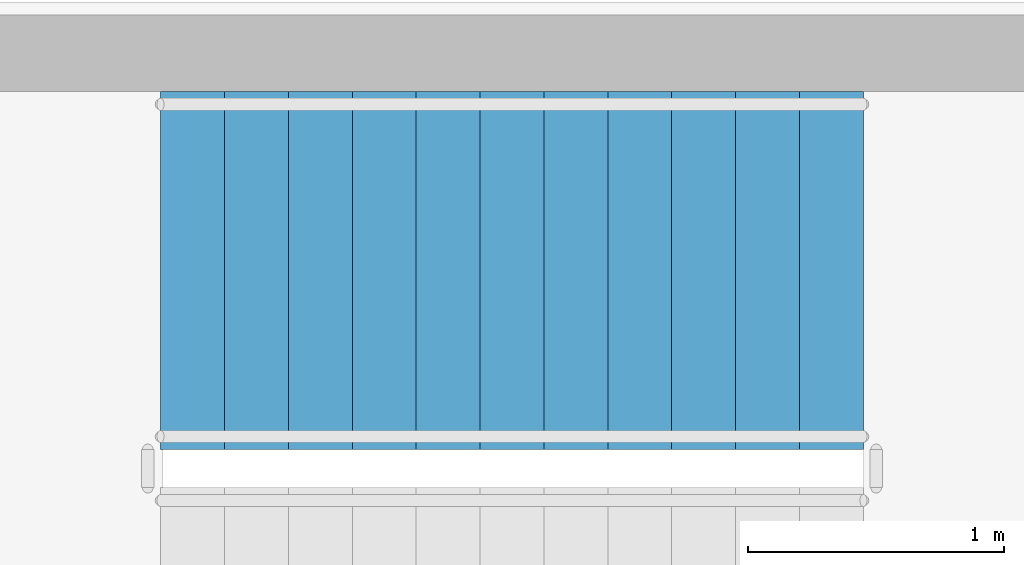
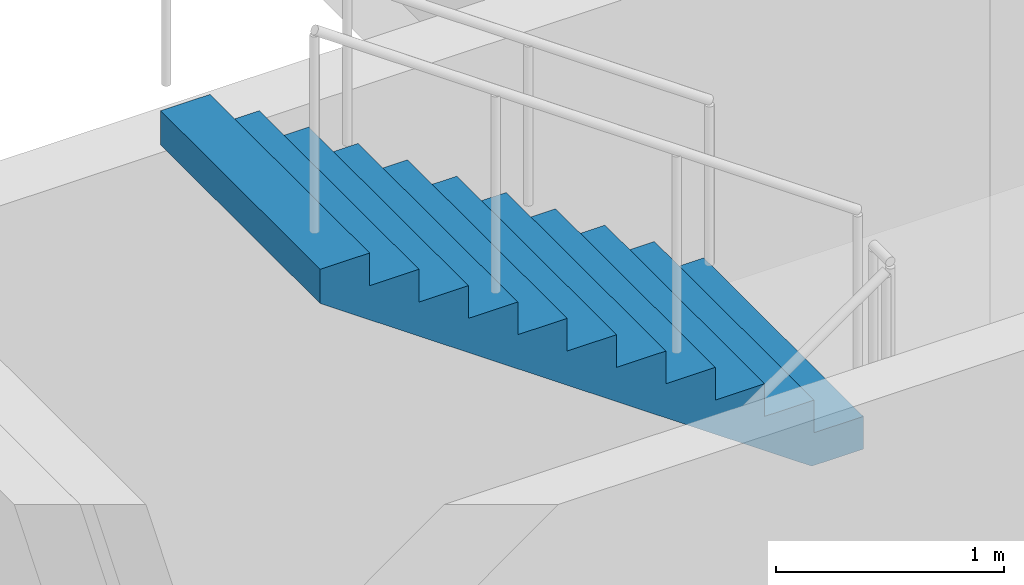
# One storey, part 9 of 14: 1 stair flight, 1 element without a shape of its own.
"""IFC4 building model written with IfcOpenShell, lengths in metres."""

import ifcopenshell
import ifcopenshell.guid

model = None  # the IFC model being written
_history = None  # IfcOwnerHistory: only IFC2X3 demands one
_inside = {}  # id of a spatial element -> (the spatial element, [elements in it])
_under = {}  # id of a project, library or spatial element -> (it, [spatial elements below it])
_declared = {}  # id of a project -> (the project, [libraries it declares])
_typed = {}  # id of a type object -> (the type object, [elements of that type])
_made_of = {}  # id of a material, layer set ... -> (it, [elements and type objects made of it])


def new_model(schema):
    """Start an empty IFC model of exactly this schema.

    Asked for "IFC4X3", IfcOpenShell would pick the latest addendum, in which some entities
    have other attributes; the version numbers below select the first issue.
    IFC2X3 requires an IfcOwnerHistory on every rooted entity: one is made here for all.
    """
    global model, _history
    if schema == "IFC4X3":
        model = ifcopenshell.file(schema_version=(4, 3, 0, 0))
    else:
        model = ifcopenshell.file(schema=schema)
    _inside.clear()
    _under.clear()
    _declared.clear()
    _typed.clear()
    _made_of.clear()
    _history = None
    if model.schema == "IFC2X3":
        org = make("IfcOrganization", Name="unknown")
        user = make(
            "IfcPersonAndOrganization",
            ThePerson=make("IfcPerson", FamilyName="unknown"),
            TheOrganization=org,
        )
        app = make(
            "IfcApplication",
            ApplicationDeveloper=org,
            Version="unknown",
            ApplicationFullName="unknown",
            ApplicationIdentifier="unknown",
        )
        _history = make(
            "IfcOwnerHistory",
            OwningUser=user,
            OwningApplication=app,
            ChangeAction="ADDED",
            CreationDate=0,
        )
    return model


def make(cls, **values):
    """One entity of the class cls with the attributes given. An attribute that is None is left unset."""
    return model.create_entity(
        cls, **{name: value for name, value in values.items() if value is not None}
    )


def rooted(cls, **values):
    """An entity with a GlobalId (a new one), such as an element, a storey or a relation."""
    return make(cls, GlobalId=ifcopenshell.guid.new(), OwnerHistory=_history, **values)


def si_unit(unit_type, name, prefix=None):
    """IfcSIUnit, for example si_unit("LENGTHUNIT", "METRE", prefix="MILLI")."""
    return make("IfcSIUnit", UnitType=unit_type, Prefix=prefix, Name=name)


def assignment(units):
    """IfcUnitAssignment: the units of a project."""
    return None if units is None else make("IfcUnitAssignment", Units=units)


def point(xyz):
    """IfcCartesianPoint."""
    return None if xyz is None else make("IfcCartesianPoint", Coordinates=xyz)


def direction(xyz):
    """IfcDirection."""
    return None if xyz is None else make("IfcDirection", DirectionRatios=xyz)


def frame(location, z_axis=None, x_axis=None):
    """IfcAxis2Placement3D, a coordinate frame: its origin and axes. An axis left out is left unset."""
    return make(
        "IfcAxis2Placement3D",
        Location=point(location),
        Axis=direction(z_axis),
        RefDirection=direction(x_axis),
    )


def origin():
    """The frame at (0, 0, 0) with its axes left unset."""
    return frame((0.0, 0.0, 0.0))


def place(relative_to, where):
    """IfcLocalPlacement: puts the frame where relative to a parent placement (None: the world)."""
    return make(
        "IfcLocalPlacement", PlacementRelTo=relative_to, RelativePlacement=where
    )


def context(
    kind, dimensions, precision=None, world=None, true_north=None, identifier=None
):
    """IfcGeometricRepresentationContext, for example the 3D "Model" context."""
    return make(
        "IfcGeometricRepresentationContext",
        ContextIdentifier=identifier,
        ContextType=kind,
        CoordinateSpaceDimension=dimensions,
        Precision=precision,
        WorldCoordinateSystem=world,
        TrueNorth=true_north,
    )


def subcontext(parent, identifier, kind, view, scale=None):
    """IfcGeometricRepresentationSubContext, for example "Body" below "Model"."""
    return make(
        "IfcGeometricRepresentationSubContext",
        ContextIdentifier=identifier,
        ContextType=kind,
        ParentContext=parent,
        TargetScale=scale,
        TargetView=view,
    )


def project(units=None, contexts=None):
    """IfcProject with its units and contexts."""
    return rooted(
        "IfcProject",
        Name="project",
        RepresentationContexts=contexts,
        UnitsInContext=assignment(units),
    )


def spatial(cls, under=None, at=None, **own):
    """A site, building, storey or space (cls), placed at a placement, below another one or the project."""
    s = rooted(cls, ObjectPlacement=at, **own)
    if under is not None:
        _under.setdefault(under.id(), (under, []))[1].append(s)
    return s


def polyline(points):
    """IfcPolyline through the points."""
    return make("IfcPolyline", Points=[point(p) for p in points])


def outline(outer, holes=None, kind="AREA"):
    """IfcArbitraryClosedProfileDef: a profile drawn as a closed curve; with holes, ...WithVoids."""
    if holes is None:
        return make("IfcArbitraryClosedProfileDef", ProfileType=kind, OuterCurve=outer)
    return make(
        "IfcArbitraryProfileDefWithVoids",
        ProfileType=kind,
        OuterCurve=outer,
        InnerCurves=holes,
    )


def extrude(swept, where, along, depth):
    """IfcExtrudedAreaSolid: the profile swept, set in the frame where, extruded along a direction by depth."""
    return make(
        "IfcExtrudedAreaSolid",
        SweptArea=swept,
        Position=where,
        ExtrudedDirection=direction(along),
        Depth=depth,
    )


def shape(context_of_items, identifier, shape_type, items):
    """IfcShapeRepresentation: the items that make up one representation, for example the "Body"."""
    return make(
        "IfcShapeRepresentation",
        ContextOfItems=context_of_items,
        RepresentationIdentifier=identifier,
        RepresentationType=shape_type,
        Items=items,
    )


def source(mapping_origin, context_of_items, identifier, shape_type, items):
    """IfcRepresentationMap: a shape defined once, which mapped items show again and again."""
    return make(
        "IfcRepresentationMap",
        MappingOrigin=mapping_origin,
        MappedRepresentation=shape(context_of_items, identifier, shape_type, items),
    )


def transform(
    local_origin,
    x_axis=None,
    y_axis=None,
    z_axis=None,
    scale=None,
    scale2=None,
    scale3=None,
    uniform=True,
):
    """IfcCartesianTransformationOperator3D, or its non-uniform kind. x_axis, y_axis, z_axis: its Axis1, 2, 3."""
    if uniform:
        return make(
            "IfcCartesianTransformationOperator3D",
            Axis1=direction(x_axis),
            Axis2=direction(y_axis),
            LocalOrigin=point(local_origin),
            Scale=scale,
            Axis3=direction(z_axis),
        )
    return make(
        "IfcCartesianTransformationOperator3DnonUniform",
        Axis1=direction(x_axis),
        Axis2=direction(y_axis),
        LocalOrigin=point(local_origin),
        Scale=scale,
        Axis3=direction(z_axis),
        Scale2=scale2,
        Scale3=scale3,
    )


def mapped(mapping_source, mapping_target):
    """IfcMappedItem: shows the shape of a source again, moved by a transform."""
    return make(
        "IfcMappedItem", MappingSource=mapping_source, MappingTarget=mapping_target
    )


def material(Name=None, Category=None):
    """IfcMaterial."""
    return make("IfcMaterial", Name=Name, Category=Category)


def made_of(thing, what):
    """Note that an element or type object is made of a material, layer set ...; save() writes the relation."""
    if what is not None:
        _made_of.setdefault(what.id(), (what, []))[1].append(thing)
    return thing


def type_object(cls, material=None, **own):
    """A type object (cls), such as IfcWallType, which elements share."""
    return made_of(rooted(cls, **own), material)


def element(
    cls,
    number,
    at=None,
    inside=None,
    cuts=None,
    type_object=None,
    material=None,
    context=None,
    identifier="Body",
    shape_type=None,
    held_by="IfcProductDefinitionShape",
    body=None,
    shapes=None,
    **own,
):
    """One element of the class cls, such as IfcWall. Its Tag is "e" and its number.

    at: its placement. inside: the storey or other place that contains it. cuts: it is an
    opening in that element (IfcRelVoidsElement). A single representation is given by context,
    identifier, shape_type and body (its items); several are given by shapes. held_by: the class
    of the entity that holds the representations. save() writes the other relations.
    """
    e = rooted(cls, Tag="e%d" % number, ObjectPlacement=at, **own)
    if body is not None:
        shapes = [shape(context, identifier, shape_type, body)]
    if shapes is not None:
        e.Representation = make(held_by, Representations=shapes)
    if inside is not None:
        _inside.setdefault(inside.id(), (inside, []))[1].append(e)
    if cuts is not None:
        rooted(
            "IfcRelVoidsElement", RelatingBuildingElement=cuts, RelatedOpeningElement=e
        )
    if type_object is not None:
        _typed.setdefault(type_object.id(), (type_object, []))[1].append(e)
    return made_of(e, material)


def aggregate(whole, parts):
    """IfcRelAggregates: a whole, such as a stair, and the parts it consists of."""
    return rooted("IfcRelAggregates", RelatingObject=whole, RelatedObjects=parts)


def save(model, path):
    """Write the relations noted so far, then the file.

    IfcRelAggregates (storeys below a building ...), IfcRelContainedInSpatialStructure (elements
    in a storey), IfcRelDefinesByType, IfcRelAssociatesMaterial and IfcRelDeclares: one each for
    every whole, place, type object, material and project.
    """
    for whole, parts in _under.values():
        aggregate(whole, parts)
    for where, things in _inside.values():
        rooted(
            "IfcRelContainedInSpatialStructure",
            RelatedElements=things,
            RelatingStructure=where,
        )
    for kind, things in _typed.values():
        rooted("IfcRelDefinesByType", RelatedObjects=things, RelatingType=kind)
    for what, things in _made_of.values():
        rooted("IfcRelAssociatesMaterial", RelatedObjects=things, RelatingMaterial=what)
    for by, libraries in _declared.values():
        rooted("IfcRelDeclares", RelatingContext=by, RelatedDefinitions=libraries)
    model.write(path)


model = new_model("IFC4")

# Units and contexts
model_context = context("Model", 3, precision=1e-05, world=origin(), true_north=direction((0.0, 1.0)))
body_context = subcontext(model_context, "Body", "Model", "MODEL_VIEW")
ifc_project = project(units=[si_unit("LENGTHUNIT", "METRE"), si_unit("AREAUNIT", "SQUARE_METRE"), si_unit("VOLUMEUNIT", "CUBIC_METRE"), si_unit("PLANEANGLEUNIT", "RADIAN"), si_unit("MASSUNIT", "GRAM", prefix="KILO")], contexts=[model_context])

# Site, building, storey
site_placement = place(None, origin())
site = spatial("IfcSite", under=ifc_project, at=site_placement, CompositionType="ELEMENT")
building_placement = place(site_placement, origin())
building = spatial("IfcBuilding", under=site, at=building_placement, Name="Aurelian Terraces", CompositionType="ELEMENT")
storey_placement = place(building_placement, frame((0.0, 0.0, 103.5)))
storey = spatial("IfcBuildingStorey", under=building, at=storey_placement, Name="L22", CompositionType="ELEMENT", Elevation=103.5)

# Stair, stair flight
ifc_material = material(Name="Concrete fc' 40 MPa", Category="concrete")
stair_type = type_object("IfcStairType", Name="Stair 1400", PredefinedType="HALF_TURN_STAIR", material=ifc_material)
stair_placement = place(storey_placement, origin())
stair = element("IfcStair", 1, at=stair_placement, inside=storey, type_object=stair_type, Name="L22 S3", PredefinedType="HALF_TURN_STAIR")
stair_flight_type = type_object("IfcStairFlightType", Name="Stair flight 1400", PredefinedType="STRAIGHT", material=ifc_material)
shared_shape = source(origin(), body_context, "Body", "SweptSolid", [
    extrude(outline(polyline([(0.0, 0.0), (0.0, 0.175), (0.25, 0.175), (0.25, 0.35), (0.5, 0.35), (0.5, 0.525), (0.75, 0.525), (0.75, 0.7), (1.0, 0.7), (1.0, 0.875), (1.25, 0.875), (1.25, 1.05), (1.5, 1.05), (1.5, 1.225), (1.75, 1.225), (1.75, 1.4), (2.0, 1.4), (2.0, 1.575), (2.25, 1.575), (2.25, 1.75), (2.5, 1.75), (2.5, 1.925), (2.75, 1.925), (2.75, 2.1), (2.75, 1.7419), (0.2616, 0.0), (0.0, 0.0)])), frame((0.0, 0.7, 0.0), z_axis=(0.0, -1.0, 0.0), x_axis=(1.0, 0.0, 0.0)), (0.0, 0.0, 1.0), 1.4),
])
stair_flight_placement = place(storey_placement, frame((4.85, 42.9, 2.100000019999994), z_axis=(0.0, 0.0, 1.0), x_axis=(-1.0, 0.0, 0.0)))
stair_flight = element("IfcStairFlight", 2, at=stair_flight_placement, type_object=stair_flight_type, Name="S3 flight 2", NumberOfRisers=12, NumberOfTreads=11, PredefinedType="STRAIGHT", RiserHeight=0.175, TreadLength=0.25, context=body_context, shape_type="MappedRepresentation", body=[
    mapped(shared_shape, transform((0.0, 0.0, 0.0), scale=1.0)),
])
aggregate(stair, [stair_flight])

save(model, "model.ifc")
